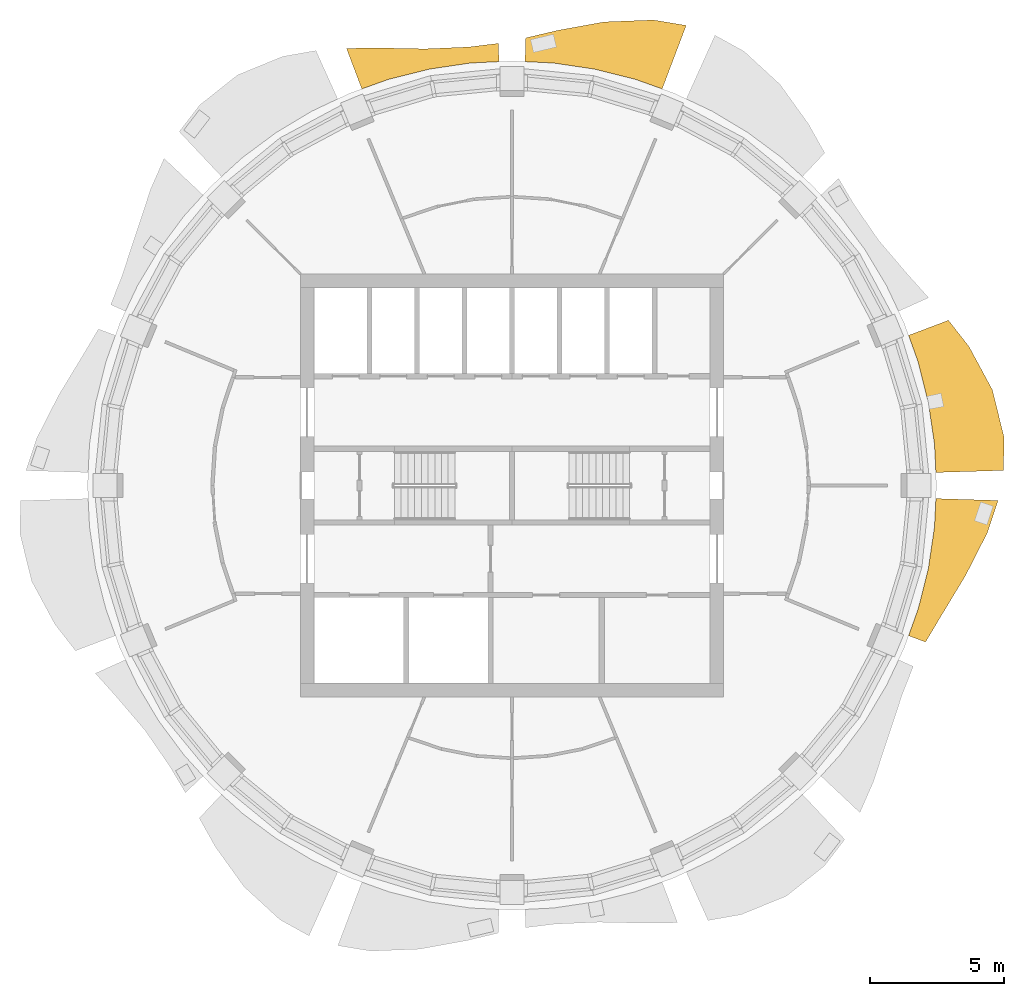
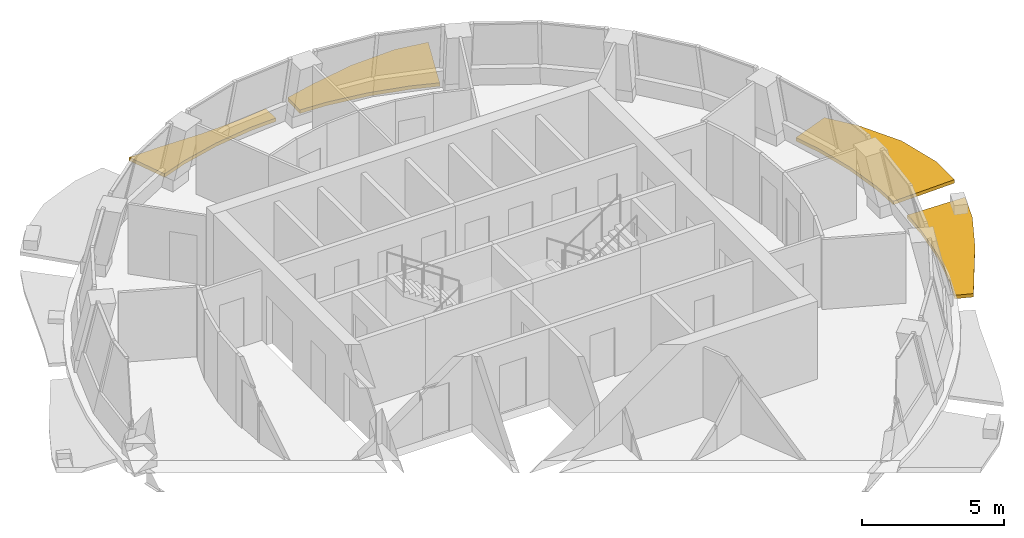
# One storey, part 10 of 11: 4 shading devices.
"""IFC4 building model written with IfcOpenShell, lengths in metres."""

import ifcopenshell
import ifcopenshell.guid

model = None  # the IFC model being written
_history = None  # IfcOwnerHistory: only IFC2X3 demands one
_inside = {}  # id of a spatial element -> (the spatial element, [elements in it])
_under = {}  # id of a project, library or spatial element -> (it, [spatial elements below it])
_declared = {}  # id of a project -> (the project, [libraries it declares])
_typed = {}  # id of a type object -> (the type object, [elements of that type])
_made_of = {}  # id of a material, layer set ... -> (it, [elements and type objects made of it])


def new_model(schema):
    """Start an empty IFC model of exactly this schema.

    Asked for "IFC4X3", IfcOpenShell would pick the latest addendum, in which some entities
    have other attributes; the version numbers below select the first issue.
    IFC2X3 requires an IfcOwnerHistory on every rooted entity: one is made here for all.
    """
    global model, _history
    if schema == "IFC4X3":
        model = ifcopenshell.file(schema_version=(4, 3, 0, 0))
    else:
        model = ifcopenshell.file(schema=schema)
    _inside.clear()
    _under.clear()
    _declared.clear()
    _typed.clear()
    _made_of.clear()
    _history = None
    if model.schema == "IFC2X3":
        org = make("IfcOrganization", Name="unknown")
        user = make(
            "IfcPersonAndOrganization",
            ThePerson=make("IfcPerson", FamilyName="unknown"),
            TheOrganization=org,
        )
        app = make(
            "IfcApplication",
            ApplicationDeveloper=org,
            Version="unknown",
            ApplicationFullName="unknown",
            ApplicationIdentifier="unknown",
        )
        _history = make(
            "IfcOwnerHistory",
            OwningUser=user,
            OwningApplication=app,
            ChangeAction="ADDED",
            CreationDate=0,
        )
    return model


def make(cls, **values):
    """One entity of the class cls with the attributes given. An attribute that is None is left unset."""
    return model.create_entity(
        cls, **{name: value for name, value in values.items() if value is not None}
    )


def rooted(cls, **values):
    """An entity with a GlobalId (a new one), such as an element, a storey or a relation."""
    return make(cls, GlobalId=ifcopenshell.guid.new(), OwnerHistory=_history, **values)


def si_unit(unit_type, name, prefix=None):
    """IfcSIUnit, for example si_unit("LENGTHUNIT", "METRE", prefix="MILLI")."""
    return make("IfcSIUnit", UnitType=unit_type, Prefix=prefix, Name=name)


def assignment(units):
    """IfcUnitAssignment: the units of a project."""
    return None if units is None else make("IfcUnitAssignment", Units=units)


def point(xyz):
    """IfcCartesianPoint."""
    return None if xyz is None else make("IfcCartesianPoint", Coordinates=xyz)


def direction(xyz):
    """IfcDirection."""
    return None if xyz is None else make("IfcDirection", DirectionRatios=xyz)


def frame(location, z_axis=None, x_axis=None):
    """IfcAxis2Placement3D, a coordinate frame: its origin and axes. An axis left out is left unset."""
    return make(
        "IfcAxis2Placement3D",
        Location=point(location),
        Axis=direction(z_axis),
        RefDirection=direction(x_axis),
    )


def origin():
    """The frame at (0, 0, 0) with its axes left unset."""
    return frame((0.0, 0.0, 0.0))


def place(relative_to, where):
    """IfcLocalPlacement: puts the frame where relative to a parent placement (None: the world)."""
    return make(
        "IfcLocalPlacement", PlacementRelTo=relative_to, RelativePlacement=where
    )


def context(
    kind, dimensions, precision=None, world=None, true_north=None, identifier=None
):
    """IfcGeometricRepresentationContext, for example the 3D "Model" context."""
    return make(
        "IfcGeometricRepresentationContext",
        ContextIdentifier=identifier,
        ContextType=kind,
        CoordinateSpaceDimension=dimensions,
        Precision=precision,
        WorldCoordinateSystem=world,
        TrueNorth=true_north,
    )


def subcontext(parent, identifier, kind, view, scale=None):
    """IfcGeometricRepresentationSubContext, for example "Body" below "Model"."""
    return make(
        "IfcGeometricRepresentationSubContext",
        ContextIdentifier=identifier,
        ContextType=kind,
        ParentContext=parent,
        TargetScale=scale,
        TargetView=view,
    )


def project(units=None, contexts=None):
    """IfcProject with its units and contexts."""
    return rooted(
        "IfcProject",
        Name="project",
        RepresentationContexts=contexts,
        UnitsInContext=assignment(units),
    )


def spatial(cls, under=None, at=None, **own):
    """A site, building, storey or space (cls), placed at a placement, below another one or the project."""
    s = rooted(cls, ObjectPlacement=at, **own)
    if under is not None:
        _under.setdefault(under.id(), (under, []))[1].append(s)
    return s


def polyline(points):
    """IfcPolyline through the points."""
    return make("IfcPolyline", Points=[point(p) for p in points])


def outline(outer, holes=None, kind="AREA"):
    """IfcArbitraryClosedProfileDef: a profile drawn as a closed curve; with holes, ...WithVoids."""
    if holes is None:
        return make("IfcArbitraryClosedProfileDef", ProfileType=kind, OuterCurve=outer)
    return make(
        "IfcArbitraryProfileDefWithVoids",
        ProfileType=kind,
        OuterCurve=outer,
        InnerCurves=holes,
    )


def extrude(swept, where, along, depth):
    """IfcExtrudedAreaSolid: the profile swept, set in the frame where, extruded along a direction by depth."""
    return make(
        "IfcExtrudedAreaSolid",
        SweptArea=swept,
        Position=where,
        ExtrudedDirection=direction(along),
        Depth=depth,
    )


def shape(context_of_items, identifier, shape_type, items):
    """IfcShapeRepresentation: the items that make up one representation, for example the "Body"."""
    return make(
        "IfcShapeRepresentation",
        ContextOfItems=context_of_items,
        RepresentationIdentifier=identifier,
        RepresentationType=shape_type,
        Items=items,
    )


def material(Name=None, Category=None):
    """IfcMaterial."""
    return make("IfcMaterial", Name=Name, Category=Category)


def made_of(thing, what):
    """Note that an element or type object is made of a material, layer set ...; save() writes the relation."""
    if what is not None:
        _made_of.setdefault(what.id(), (what, []))[1].append(thing)
    return thing


def type_object(cls, material=None, **own):
    """A type object (cls), such as IfcWallType, which elements share."""
    return made_of(rooted(cls, **own), material)


def element(
    cls,
    number,
    at=None,
    inside=None,
    cuts=None,
    type_object=None,
    material=None,
    context=None,
    identifier="Body",
    shape_type=None,
    held_by="IfcProductDefinitionShape",
    body=None,
    shapes=None,
    **own,
):
    """One element of the class cls, such as IfcWall. Its Tag is "e" and its number.

    at: its placement. inside: the storey or other place that contains it. cuts: it is an
    opening in that element (IfcRelVoidsElement). A single representation is given by context,
    identifier, shape_type and body (its items); several are given by shapes. held_by: the class
    of the entity that holds the representations. save() writes the other relations.
    """
    e = rooted(cls, Tag="e%d" % number, ObjectPlacement=at, **own)
    if body is not None:
        shapes = [shape(context, identifier, shape_type, body)]
    if shapes is not None:
        e.Representation = make(held_by, Representations=shapes)
    if inside is not None:
        _inside.setdefault(inside.id(), (inside, []))[1].append(e)
    if cuts is not None:
        rooted(
            "IfcRelVoidsElement", RelatingBuildingElement=cuts, RelatedOpeningElement=e
        )
    if type_object is not None:
        _typed.setdefault(type_object.id(), (type_object, []))[1].append(e)
    return made_of(e, material)


def aggregate(whole, parts):
    """IfcRelAggregates: a whole, such as a stair, and the parts it consists of."""
    return rooted("IfcRelAggregates", RelatingObject=whole, RelatedObjects=parts)


def save(model, path):
    """Write the relations noted so far, then the file.

    IfcRelAggregates (storeys below a building ...), IfcRelContainedInSpatialStructure (elements
    in a storey), IfcRelDefinesByType, IfcRelAssociatesMaterial and IfcRelDeclares: one each for
    every whole, place, type object, material and project.
    """
    for whole, parts in _under.values():
        aggregate(whole, parts)
    for where, things in _inside.values():
        rooted(
            "IfcRelContainedInSpatialStructure",
            RelatedElements=things,
            RelatingStructure=where,
        )
    for kind, things in _typed.values():
        rooted("IfcRelDefinesByType", RelatedObjects=things, RelatingType=kind)
    for what, things in _made_of.values():
        rooted("IfcRelAssociatesMaterial", RelatedObjects=things, RelatingMaterial=what)
    for by, libraries in _declared.values():
        rooted("IfcRelDeclares", RelatingContext=by, RelatedDefinitions=libraries)
    model.write(path)


model = new_model("IFC4")

# Units and contexts
model_context = context("Model", 3, precision=1e-05, world=origin(), true_north=direction((0.0, 1.0)))
body_context = subcontext(model_context, "Body", "Model", "MODEL_VIEW")
ifc_project = project(units=[si_unit("LENGTHUNIT", "METRE"), si_unit("AREAUNIT", "SQUARE_METRE"), si_unit("VOLUMEUNIT", "CUBIC_METRE"), si_unit("PLANEANGLEUNIT", "RADIAN"), si_unit("MASSUNIT", "GRAM", prefix="KILO")], contexts=[model_context])

# Site, building, storey
site_placement = place(None, origin())
site = spatial("IfcSite", under=ifc_project, at=site_placement, CompositionType="ELEMENT")
building_placement = place(site_placement, origin())
building = spatial("IfcBuilding", under=site, at=building_placement, Name="Polderwave Tower", CompositionType="ELEMENT")
storey_placement = place(building_placement, frame((0.0, 0.0, 224.5)))
storey = spatial("IfcBuildingStorey", under=building, at=storey_placement, Name="L61", CompositionType="ELEMENT", Elevation=224.5)

# Shading devices
ifc_material = material(Name="Terracotta", Category="masonry")
shading_device_type = type_object("IfcShadingDeviceType", Name="Terracotta sunshade band", PredefinedType="USERDEFINED", material=ifc_material)
shading_device_1_placement = place(storey_placement, frame((0.0, 0.0, -0.35009765625)))
element("IfcShadingDevice", 1, at=shading_device_1_placement, inside=storey, type_object=shading_device_type, Name="Sunshade band L61 1", ObjectType="SUNSHADE", PredefinedType="USERDEFINED", context=body_context, shape_type="SweptSolid", body=[
    extrude(outline(polyline([(15.776123046875, 0.4853515625), (15.723876953125, 1.548583984375), (15.496337890625, 3.08251953125), (15.11962890625, 4.58642578125), (14.760986328125, 5.5888671875), (16.244384765625, 6.150634765625), (17.015380859375, 5.16162109375), (17.880126953125, 3.556640625), (18.311279296875, 1.803466796875), (18.294921875, 0.562744140625), (15.776123046875, 0.4853515625)])), origin(), (0.0, 0.0, 1.0), 0.150146484375),
])
shading_device_2_placement = place(storey_placement, frame((0.0, 0.0, -0.35009765625)))
element("IfcShadingDevice", 2, at=shading_device_2_placement, inside=storey, type_object=shading_device_type, Name="Sunshade band L61 4", ObjectType="SUNSHADE", PredefinedType="USERDEFINED", context=body_context, shape_type="SweptSolid", body=[
    extrude(outline(polyline([(5.5888671875, 14.760986328125), (4.58642578125, 15.11962890625), (3.08251953125, 15.496337890625), (1.548583984375, 15.723876953125), (0.4853515625, 15.776123046875), (0.512451171875, 16.658935546875), (1.667724609375, 16.93359375), (3.432373046875, 17.255126953125), (5.255859375, 17.326171875), (6.48388671875, 17.125), (5.5888671875, 14.760986328125)])), origin(), (0.0, 0.0, 1.0), 0.150146484375),
])
shading_device_3_placement = place(storey_placement, frame((0.0, 0.0, -0.35009765625)))
element("IfcShadingDevice", 3, at=shading_device_3_placement, inside=storey, type_object=shading_device_type, Name="Sunshade band L61 5", ObjectType="SUNSHADE", PredefinedType="USERDEFINED", context=body_context, shape_type="SweptSolid", body=[
    extrude(outline(polyline([(-0.4853515625, 15.776123046875), (-1.548583984375, 15.723876953125), (-3.08251953125, 15.496337890625), (-4.58642578125, 15.11962890625), (-5.5888671875, 14.760986328125), (-6.160400390625, 16.270263671875), (-4.9404296875, 16.2861328125), (-3.232666015625, 16.251220703125), (-1.607421875, 16.321044921875), (-0.50634765625, 16.455810546875), (-0.4853515625, 15.776123046875)])), origin(), (0.0, 0.0, 1.0), 0.150146484375),
])
shading_device_4_placement = place(storey_placement, frame((0.0, 0.0, -0.35009765625)))
element("IfcShadingDevice", 4, at=shading_device_4_placement, inside=storey, type_object=shading_device_type, Name="Sunshade band L61 16", ObjectType="SUNSHADE", PredefinedType="USERDEFINED", context=body_context, shape_type="SweptSolid", body=[
    extrude(outline(polyline([(14.760986328125, -5.5888671875), (15.11962890625, -4.58642578125), (15.496337890625, -3.08251953125), (15.723876953125, -1.548583984375), (15.776123046875, -0.4853515625), (18.091796875, -0.556640625), (17.69873046875, -1.7431640625), (16.876220703125, -3.35693359375), (15.975341796875, -4.84619140625), (15.389892578125, -5.826904296875), (14.760986328125, -5.5888671875)])), origin(), (0.0, 0.0, 1.0), 0.150146484375),
])

save(model, "model.ifc")
